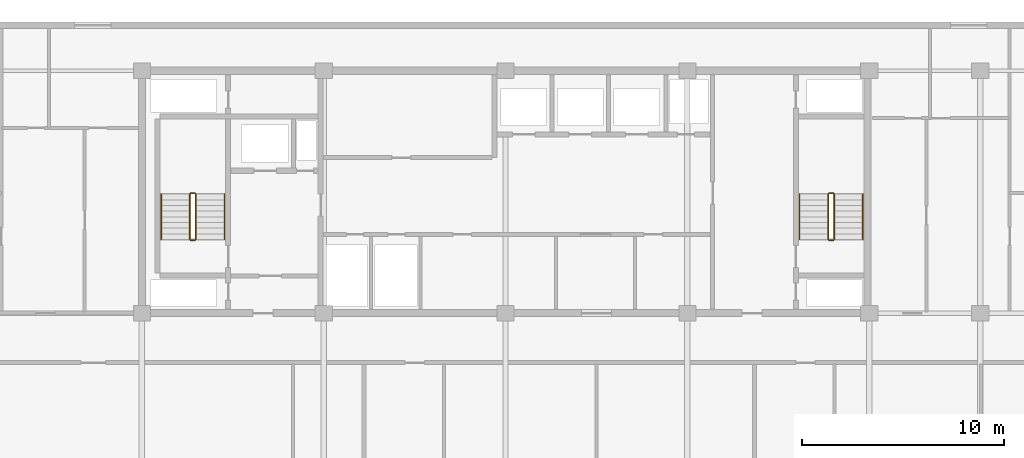
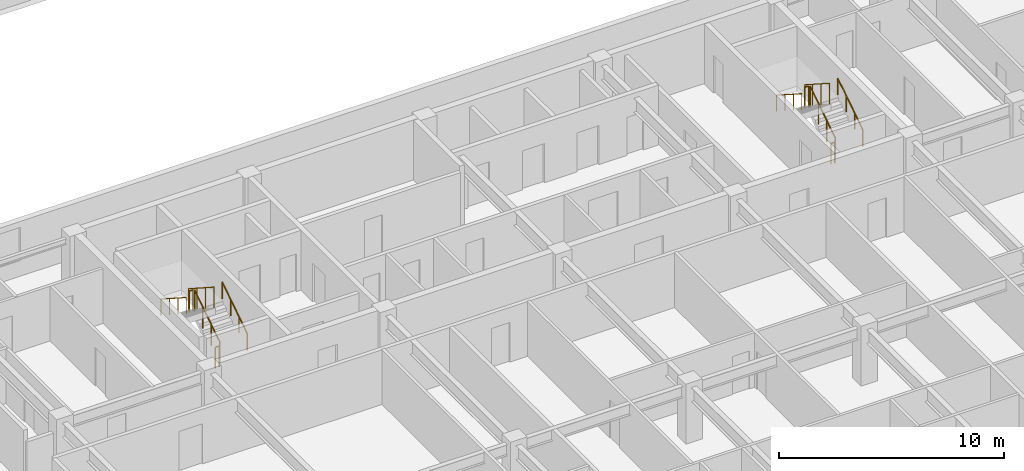
# One storey, part 18 of 21: 12 railings.
"""IFC4 building model written with IfcOpenShell, lengths in metres."""

import ifcopenshell
import ifcopenshell.guid

model = None  # the IFC model being written
_history = None  # IfcOwnerHistory: only IFC2X3 demands one
_inside = {}  # id of a spatial element -> (the spatial element, [elements in it])
_under = {}  # id of a project, library or spatial element -> (it, [spatial elements below it])
_declared = {}  # id of a project -> (the project, [libraries it declares])
_typed = {}  # id of a type object -> (the type object, [elements of that type])
_made_of = {}  # id of a material, layer set ... -> (it, [elements and type objects made of it])


def new_model(schema):
    """Start an empty IFC model of exactly this schema.

    Asked for "IFC4X3", IfcOpenShell would pick the latest addendum, in which some entities
    have other attributes; the version numbers below select the first issue.
    IFC2X3 requires an IfcOwnerHistory on every rooted entity: one is made here for all.
    """
    global model, _history
    if schema == "IFC4X3":
        model = ifcopenshell.file(schema_version=(4, 3, 0, 0))
    else:
        model = ifcopenshell.file(schema=schema)
    _inside.clear()
    _under.clear()
    _declared.clear()
    _typed.clear()
    _made_of.clear()
    _history = None
    if model.schema == "IFC2X3":
        org = make("IfcOrganization", Name="unknown")
        user = make(
            "IfcPersonAndOrganization",
            ThePerson=make("IfcPerson", FamilyName="unknown"),
            TheOrganization=org,
        )
        app = make(
            "IfcApplication",
            ApplicationDeveloper=org,
            Version="unknown",
            ApplicationFullName="unknown",
            ApplicationIdentifier="unknown",
        )
        _history = make(
            "IfcOwnerHistory",
            OwningUser=user,
            OwningApplication=app,
            ChangeAction="ADDED",
            CreationDate=0,
        )
    return model


def make(cls, **values):
    """One entity of the class cls with the attributes given. An attribute that is None is left unset."""
    return model.create_entity(
        cls, **{name: value for name, value in values.items() if value is not None}
    )


def rooted(cls, **values):
    """An entity with a GlobalId (a new one), such as an element, a storey or a relation."""
    return make(cls, GlobalId=ifcopenshell.guid.new(), OwnerHistory=_history, **values)


def si_unit(unit_type, name, prefix=None):
    """IfcSIUnit, for example si_unit("LENGTHUNIT", "METRE", prefix="MILLI")."""
    return make("IfcSIUnit", UnitType=unit_type, Prefix=prefix, Name=name)


def assignment(units):
    """IfcUnitAssignment: the units of a project."""
    return None if units is None else make("IfcUnitAssignment", Units=units)


def point(xyz):
    """IfcCartesianPoint."""
    return None if xyz is None else make("IfcCartesianPoint", Coordinates=xyz)


def direction(xyz):
    """IfcDirection."""
    return None if xyz is None else make("IfcDirection", DirectionRatios=xyz)


def frame(location, z_axis=None, x_axis=None):
    """IfcAxis2Placement3D, a coordinate frame: its origin and axes. An axis left out is left unset."""
    return make(
        "IfcAxis2Placement3D",
        Location=point(location),
        Axis=direction(z_axis),
        RefDirection=direction(x_axis),
    )


def frame_2d(location, x_axis=None):
    """IfcAxis2Placement2D, a coordinate frame in the plane: its origin and x axis."""
    return make(
        "IfcAxis2Placement2D", Location=point(location), RefDirection=direction(x_axis)
    )


def origin():
    """The frame at (0, 0, 0) with its axes left unset."""
    return frame((0.0, 0.0, 0.0))


def origin_2d():
    """The frame at (0, 0) in the plane with its x axis left unset."""
    return frame_2d((0.0, 0.0))


def place(relative_to, where):
    """IfcLocalPlacement: puts the frame where relative to a parent placement (None: the world)."""
    return make(
        "IfcLocalPlacement", PlacementRelTo=relative_to, RelativePlacement=where
    )


def context(
    kind, dimensions, precision=None, world=None, true_north=None, identifier=None
):
    """IfcGeometricRepresentationContext, for example the 3D "Model" context."""
    return make(
        "IfcGeometricRepresentationContext",
        ContextIdentifier=identifier,
        ContextType=kind,
        CoordinateSpaceDimension=dimensions,
        Precision=precision,
        WorldCoordinateSystem=world,
        TrueNorth=true_north,
    )


def subcontext(parent, identifier, kind, view, scale=None):
    """IfcGeometricRepresentationSubContext, for example "Body" below "Model"."""
    return make(
        "IfcGeometricRepresentationSubContext",
        ContextIdentifier=identifier,
        ContextType=kind,
        ParentContext=parent,
        TargetScale=scale,
        TargetView=view,
    )


def project(units=None, contexts=None):
    """IfcProject with its units and contexts."""
    return rooted(
        "IfcProject",
        Name="project",
        RepresentationContexts=contexts,
        UnitsInContext=assignment(units),
    )


def spatial(cls, under=None, at=None, **own):
    """A site, building, storey or space (cls), placed at a placement, below another one or the project."""
    s = rooted(cls, ObjectPlacement=at, **own)
    if under is not None:
        _under.setdefault(under.id(), (under, []))[1].append(s)
    return s


def profile(cls, at=None, kind="AREA", **sizes):
    """A parametric profile (cls). Its sizes go by their IFC names, for example OverallWidth=200.0."""
    return make(cls, ProfileType=kind, Position=at, **sizes)


def circle(**sizes):
    """IfcCircleProfileDef."""
    return profile("IfcCircleProfileDef", **sizes)


def extrude(swept, where, along, depth):
    """IfcExtrudedAreaSolid: the profile swept, set in the frame where, extruded along a direction by depth."""
    return make(
        "IfcExtrudedAreaSolid",
        SweptArea=swept,
        Position=where,
        ExtrudedDirection=direction(along),
        Depth=depth,
    )


def shape(context_of_items, identifier, shape_type, items):
    """IfcShapeRepresentation: the items that make up one representation, for example the "Body"."""
    return make(
        "IfcShapeRepresentation",
        ContextOfItems=context_of_items,
        RepresentationIdentifier=identifier,
        RepresentationType=shape_type,
        Items=items,
    )


def material(Name=None, Category=None):
    """IfcMaterial."""
    return make("IfcMaterial", Name=Name, Category=Category)


def made_of(thing, what):
    """Note that an element or type object is made of a material, layer set ...; save() writes the relation."""
    if what is not None:
        _made_of.setdefault(what.id(), (what, []))[1].append(thing)
    return thing


def type_object(cls, material=None, **own):
    """A type object (cls), such as IfcWallType, which elements share."""
    return made_of(rooted(cls, **own), material)


def element(
    cls,
    number,
    at=None,
    inside=None,
    cuts=None,
    type_object=None,
    material=None,
    context=None,
    identifier="Body",
    shape_type=None,
    held_by="IfcProductDefinitionShape",
    body=None,
    shapes=None,
    **own,
):
    """One element of the class cls, such as IfcWall. Its Tag is "e" and its number.

    at: its placement. inside: the storey or other place that contains it. cuts: it is an
    opening in that element (IfcRelVoidsElement). A single representation is given by context,
    identifier, shape_type and body (its items); several are given by shapes. held_by: the class
    of the entity that holds the representations. save() writes the other relations.
    """
    e = rooted(cls, Tag="e%d" % number, ObjectPlacement=at, **own)
    if body is not None:
        shapes = [shape(context, identifier, shape_type, body)]
    if shapes is not None:
        e.Representation = make(held_by, Representations=shapes)
    if inside is not None:
        _inside.setdefault(inside.id(), (inside, []))[1].append(e)
    if cuts is not None:
        rooted(
            "IfcRelVoidsElement", RelatingBuildingElement=cuts, RelatedOpeningElement=e
        )
    if type_object is not None:
        _typed.setdefault(type_object.id(), (type_object, []))[1].append(e)
    return made_of(e, material)


def aggregate(whole, parts):
    """IfcRelAggregates: a whole, such as a stair, and the parts it consists of."""
    return rooted("IfcRelAggregates", RelatingObject=whole, RelatedObjects=parts)


def save(model, path):
    """Write the relations noted so far, then the file.

    IfcRelAggregates (storeys below a building ...), IfcRelContainedInSpatialStructure (elements
    in a storey), IfcRelDefinesByType, IfcRelAssociatesMaterial and IfcRelDeclares: one each for
    every whole, place, type object, material and project.
    """
    for whole, parts in _under.values():
        aggregate(whole, parts)
    for where, things in _inside.values():
        rooted(
            "IfcRelContainedInSpatialStructure",
            RelatedElements=things,
            RelatingStructure=where,
        )
    for kind, things in _typed.values():
        rooted("IfcRelDefinesByType", RelatedObjects=things, RelatingType=kind)
    for what, things in _made_of.values():
        rooted("IfcRelAssociatesMaterial", RelatedObjects=things, RelatingMaterial=what)
    for by, libraries in _declared.values():
        rooted("IfcRelDeclares", RelatingContext=by, RelatedDefinitions=libraries)
    model.write(path)


model = new_model("IFC4")

# Units and contexts
model_context = context("Model", 3, precision=1e-05, world=origin(), true_north=direction((0.0, 1.0)))
body_context = subcontext(model_context, "Body", "Model", "MODEL_VIEW")
ifc_project = project(units=[si_unit("LENGTHUNIT", "METRE"), si_unit("AREAUNIT", "SQUARE_METRE"), si_unit("VOLUMEUNIT", "CUBIC_METRE"), si_unit("PLANEANGLEUNIT", "RADIAN"), si_unit("MASSUNIT", "GRAM", prefix="KILO")], contexts=[model_context])

# Site, building, storey
site_placement = place(None, origin())
site = spatial("IfcSite", under=ifc_project, at=site_placement, CompositionType="ELEMENT")
building_placement = place(site_placement, origin())
building = spatial("IfcBuilding", under=site, at=building_placement, Name="Korimba Cascade Residences", CompositionType="ELEMENT")
storey_placement = place(building_placement, frame((0.0, 0.0, 123.050048828125)))
storey = spatial("IfcBuildingStorey", under=building, at=storey_placement, Name="L35", CompositionType="ELEMENT", Elevation=123.050048828125)

# Railings
ifc_material_1 = material(Name="Painted Steel Stairwell Guardrail", Category="steel")
railing_type_1 = type_object("IfcRailingType", Name="RLG-ST-GD1150", PredefinedType="GUARDRAIL", material=ifc_material_1)
railing_1_placement = place(storey_placement, frame((84.77001953125, 22.050048828125, 0.180419921875)))
element("IfcRailing", 1, at=railing_1_placement, inside=storey, type_object=railing_type_1, Name="L35 ST-E1 stair guard 1", PredefinedType="GUARDRAIL", context=body_context, shape_type="SweptSolid", body=[
    extrude(circle(Radius=0.02392578125, at=origin_2d()), frame((0.0, 0.0, 1.1259765625), z_axis=(0.0, 0.840394893359, 0.541974559565), x_axis=(-1.0, 0.0, 0.0)), (0.0, 0.0, 1.0), 2.665283203125),
    extrude(circle(Radius=0.02099609375, at=origin_2d()), origin(), (0.0, 0.0, 1.0), 1.101806640625),
    extrude(circle(Radius=0.02099609375, at=origin_2d()), frame((0.0, 0.74658203125, 0.4814453125)), (0.0, 0.0, 1.0), 1.101806640625),
    extrude(circle(Radius=0.02099609375, at=origin_2d()), frame((0.0, 1.493408203125, 0.963134765625)), (0.0, 0.0, 1.0), 1.101806640625),
    extrude(circle(Radius=0.02099609375, at=origin_2d()), frame((0.0, 2.239990234375, 1.444580078125)), (0.0, 0.0, 1.0), 1.101806640625),
])
railing_2_placement = place(storey_placement, frame((84.719970703125, 24.340087890625, 1.625)))
element("IfcRailing", 2, at=railing_2_placement, inside=storey, type_object=railing_type_1, Name="L35 ST-E1 stair guard 2", PredefinedType="GUARDRAIL", context=body_context, shape_type="SweptSolid", body=[
    extrude(circle(Radius=0.02392578125, at=origin_2d()), frame((0.0, 0.0, 1.1259765625), z_axis=(-1.0, 0.0, 0.0), x_axis=(0.0, -1.0, 0.0)), (0.0, 0.0, 1.0), 0.199951171875),
    extrude(circle(Radius=0.02099609375, at=origin_2d()), origin(), (0.0, 0.0, 1.0), 1.101806640625),
    extrude(circle(Radius=0.02099609375, at=origin_2d()), frame((-0.199951171875, 0.0, 0.0)), (0.0, 0.0, 1.0), 1.101806640625),
])
railing_3_placement = place(storey_placement, frame((84.469970703125, 24.2900390625, 1.805419921875)))
element("IfcRailing", 3, at=railing_3_placement, inside=storey, type_object=railing_type_1, Name="L35 ST-E1 stair guard 3", PredefinedType="GUARDRAIL", context=body_context, shape_type="SweptSolid", body=[
    extrude(circle(Radius=0.02392578125, at=origin_2d()), frame((0.0, 0.0, 1.1259765625), z_axis=(0.0, -0.840394893359, 0.541974559565), x_axis=(1.0, 0.0, 0.0)), (0.0, 0.0, 1.0), 2.665283203125),
    extrude(circle(Radius=0.02099609375, at=origin_2d()), origin(), (0.0, 0.0, 1.0), 1.101806640625),
    extrude(circle(Radius=0.02099609375, at=origin_2d()), frame((0.0, -0.74658203125, 0.4814453125)), (0.0, 0.0, 1.0), 1.101806640625),
    extrude(circle(Radius=0.02099609375, at=origin_2d()), frame((0.0, -1.493408203125, 0.963134765625)), (0.0, 0.0, 1.0), 1.101806640625),
    extrude(circle(Radius=0.02099609375, at=origin_2d()), frame((0.0, -2.239990234375, 1.444580078125)), (0.0, 0.0, 1.0), 1.101806640625),
])
railing_4_placement = place(storey_placement, frame((84.719970703125, 22.0, 0.0)))
element("IfcRailing", 4, at=railing_4_placement, inside=storey, type_object=railing_type_1, Name="L35 ST-E1 stair guard 4", PredefinedType="GUARDRAIL", context=body_context, shape_type="SweptSolid", body=[
    extrude(circle(Radius=0.02392578125, at=origin_2d()), frame((0.0, 0.0, 1.1259765625), z_axis=(-1.0, 0.0, 0.0), x_axis=(0.0, -1.0, 0.0)), (0.0, 0.0, 1.0), 0.199951171875),
    extrude(circle(Radius=0.02099609375, at=origin_2d()), origin(), (0.0, 0.0, 1.0), 1.101806640625),
    extrude(circle(Radius=0.02099609375, at=origin_2d()), frame((-0.199951171875, 0.0, 0.0)), (0.0, 0.0, 1.0), 1.101806640625),
])
railing_5_placement = place(storey_placement, frame((116.3701171875, 22.050048828125, 0.180419921875)))
element("IfcRailing", 5, at=railing_5_placement, inside=storey, type_object=railing_type_1, Name="L35 ST-E2 stair guard 1", PredefinedType="GUARDRAIL", context=body_context, shape_type="SweptSolid", body=[
    extrude(circle(Radius=0.02392578125, at=origin_2d()), frame((0.0, 0.0, 1.1259765625), z_axis=(0.0, 0.840394893359, 0.541974559565), x_axis=(-1.0, 0.0, 0.0)), (0.0, 0.0, 1.0), 2.665283203125),
    extrude(circle(Radius=0.02099609375, at=origin_2d()), origin(), (0.0, 0.0, 1.0), 1.101806640625),
    extrude(circle(Radius=0.02099609375, at=origin_2d()), frame((0.0, 0.74658203125, 0.4814453125)), (0.0, 0.0, 1.0), 1.101806640625),
    extrude(circle(Radius=0.02099609375, at=origin_2d()), frame((0.0, 1.493408203125, 0.963134765625)), (0.0, 0.0, 1.0), 1.101806640625),
    extrude(circle(Radius=0.02099609375, at=origin_2d()), frame((0.0, 2.239990234375, 1.444580078125)), (0.0, 0.0, 1.0), 1.101806640625),
])
railing_6_placement = place(storey_placement, frame((116.320068359375, 24.340087890625, 1.625)))
element("IfcRailing", 6, at=railing_6_placement, inside=storey, type_object=railing_type_1, Name="L35 ST-E2 stair guard 2", PredefinedType="GUARDRAIL", context=body_context, shape_type="SweptSolid", body=[
    extrude(circle(Radius=0.02392578125, at=origin_2d()), frame((0.0, 0.0, 1.1259765625), z_axis=(-1.0, 0.0, 0.0), x_axis=(0.0, -1.0, 0.0)), (0.0, 0.0, 1.0), 0.199951171875),
    extrude(circle(Radius=0.02099609375, at=origin_2d()), origin(), (0.0, 0.0, 1.0), 1.101806640625),
    extrude(circle(Radius=0.02099609375, at=origin_2d()), frame((-0.199951171875, 0.0, 0.0)), (0.0, 0.0, 1.0), 1.101806640625),
])
railing_7_placement = place(storey_placement, frame((116.070068359375, 24.2900390625, 1.805419921875)))
element("IfcRailing", 7, at=railing_7_placement, inside=storey, type_object=railing_type_1, Name="L35 ST-E2 stair guard 3", PredefinedType="GUARDRAIL", context=body_context, shape_type="SweptSolid", body=[
    extrude(circle(Radius=0.02392578125, at=origin_2d()), frame((0.0, 0.0, 1.1259765625), z_axis=(0.0, -0.840394893359, 0.541974559565), x_axis=(1.0, 0.0, 0.0)), (0.0, 0.0, 1.0), 2.665283203125),
    extrude(circle(Radius=0.02099609375, at=origin_2d()), origin(), (0.0, 0.0, 1.0), 1.101806640625),
    extrude(circle(Radius=0.02099609375, at=origin_2d()), frame((0.0, -0.74658203125, 0.4814453125)), (0.0, 0.0, 1.0), 1.101806640625),
    extrude(circle(Radius=0.02099609375, at=origin_2d()), frame((0.0, -1.493408203125, 0.963134765625)), (0.0, 0.0, 1.0), 1.101806640625),
    extrude(circle(Radius=0.02099609375, at=origin_2d()), frame((0.0, -2.239990234375, 1.444580078125)), (0.0, 0.0, 1.0), 1.101806640625),
])
railing_8_placement = place(storey_placement, frame((116.320068359375, 22.0, 0.0)))
element("IfcRailing", 8, at=railing_8_placement, inside=storey, type_object=railing_type_1, Name="L35 ST-E2 stair guard 4", PredefinedType="GUARDRAIL", context=body_context, shape_type="SweptSolid", body=[
    extrude(circle(Radius=0.02392578125, at=origin_2d()), frame((0.0, 0.0, 1.1259765625), z_axis=(-1.0, 0.0, 0.0), x_axis=(0.0, -1.0, 0.0)), (0.0, 0.0, 1.0), 0.199951171875),
    extrude(circle(Radius=0.02099609375, at=origin_2d()), origin(), (0.0, 0.0, 1.0), 1.101806640625),
    extrude(circle(Radius=0.02099609375, at=origin_2d()), frame((-0.199951171875, 0.0, 0.0)), (0.0, 0.0, 1.0), 1.101806640625),
])
ifc_material_2 = material(Name="Brushed Stainless Steel Handrail", Category="steel")
railing_type_2 = type_object("IfcRailingType", Name="RLG-ST-HR900", PredefinedType="HANDRAIL", material=ifc_material_2)
railing_9_placement = place(storey_placement, frame((86.18994140625, 22.050048828125, 0.364990234375)))
element("IfcRailing", 9, at=railing_9_placement, inside=storey, type_object=railing_type_2, Name="L35 ST-E1 stair handrail 1", PredefinedType="HANDRAIL", context=body_context, shape_type="SweptSolid", body=[
    extrude(circle(Radius=0.02392578125, at=origin_2d()), frame((0.0, 0.0, 0.8759765625), z_axis=(0.0, 0.840436612492, 0.541909863706), x_axis=(-1.0, 0.0, 0.0)), (0.0, 0.0, 1.0), 2.665283203125),
    extrude(circle(Radius=0.02099609375, at=origin_2d()), origin(), (0.0, 0.0, 1.0), 0.851806640625),
    extrude(circle(Radius=0.02099609375, at=origin_2d()), frame((0.0, 0.74658203125, 0.4814453125)), (0.0, 0.0, 1.0), 0.851806640625),
    extrude(circle(Radius=0.02099609375, at=origin_2d()), frame((0.0, 1.493408203125, 0.962890625)), (0.0, 0.0, 1.0), 0.851806640625),
    extrude(circle(Radius=0.02099609375, at=origin_2d()), frame((0.0, 2.239990234375, 1.4443359375)), (0.0, 0.0, 1.0), 0.851806640625),
])
railing_10_placement = place(storey_placement, frame((83.050048828125, 24.2900390625, 1.989990234375)))
element("IfcRailing", 10, at=railing_10_placement, inside=storey, type_object=railing_type_2, Name="L35 ST-E1 stair handrail 2", PredefinedType="HANDRAIL", context=body_context, shape_type="SweptSolid", body=[
    extrude(circle(Radius=0.02392578125, at=origin_2d()), frame((0.0, 0.0, 0.8759765625), z_axis=(0.0, -0.840436612492, 0.541909863706), x_axis=(1.0, 0.0, 0.0)), (0.0, 0.0, 1.0), 2.665283203125),
    extrude(circle(Radius=0.02099609375, at=origin_2d()), origin(), (0.0, 0.0, 1.0), 0.851806640625),
    extrude(circle(Radius=0.02099609375, at=origin_2d()), frame((0.0, -0.74658203125, 0.4814453125)), (0.0, 0.0, 1.0), 0.851806640625),
    extrude(circle(Radius=0.02099609375, at=origin_2d()), frame((0.0, -1.493408203125, 0.962890625)), (0.0, 0.0, 1.0), 0.851806640625),
    extrude(circle(Radius=0.02099609375, at=origin_2d()), frame((0.0, -2.239990234375, 1.4443359375)), (0.0, 0.0, 1.0), 0.851806640625),
])
railing_11_placement = place(storey_placement, frame((117.7900390625, 22.050048828125, 0.364990234375)))
element("IfcRailing", 11, at=railing_11_placement, inside=storey, type_object=railing_type_2, Name="L35 ST-E2 stair handrail 1", PredefinedType="HANDRAIL", context=body_context, shape_type="SweptSolid", body=[
    extrude(circle(Radius=0.02392578125, at=origin_2d()), frame((0.0, 0.0, 0.8759765625), z_axis=(0.0, 0.840436612492, 0.541909863706), x_axis=(-1.0, 0.0, 0.0)), (0.0, 0.0, 1.0), 2.665283203125),
    extrude(circle(Radius=0.02099609375, at=origin_2d()), origin(), (0.0, 0.0, 1.0), 0.851806640625),
    extrude(circle(Radius=0.02099609375, at=origin_2d()), frame((0.0, 0.74658203125, 0.4814453125)), (0.0, 0.0, 1.0), 0.851806640625),
    extrude(circle(Radius=0.02099609375, at=origin_2d()), frame((0.0, 1.493408203125, 0.962890625)), (0.0, 0.0, 1.0), 0.851806640625),
    extrude(circle(Radius=0.02099609375, at=origin_2d()), frame((0.0, 2.239990234375, 1.4443359375)), (0.0, 0.0, 1.0), 0.851806640625),
])
railing_12_placement = place(storey_placement, frame((114.64990234375, 24.2900390625, 1.989990234375)))
element("IfcRailing", 12, at=railing_12_placement, inside=storey, type_object=railing_type_2, Name="L35 ST-E2 stair handrail 2", PredefinedType="HANDRAIL", context=body_context, shape_type="SweptSolid", body=[
    extrude(circle(Radius=0.02392578125, at=origin_2d()), frame((0.0, 0.0, 0.8759765625), z_axis=(0.0, -0.840436612492, 0.541909863706), x_axis=(1.0, 0.0, 0.0)), (0.0, 0.0, 1.0), 2.665283203125),
    extrude(circle(Radius=0.02099609375, at=origin_2d()), origin(), (0.0, 0.0, 1.0), 0.851806640625),
    extrude(circle(Radius=0.02099609375, at=origin_2d()), frame((0.0, -0.74658203125, 0.4814453125)), (0.0, 0.0, 1.0), 0.851806640625),
    extrude(circle(Radius=0.02099609375, at=origin_2d()), frame((0.0, -1.493408203125, 0.962890625)), (0.0, 0.0, 1.0), 0.851806640625),
    extrude(circle(Radius=0.02099609375, at=origin_2d()), frame((0.0, -2.239990234375, 1.4443359375)), (0.0, 0.0, 1.0), 0.851806640625),
])

save(model, "model.ifc")
